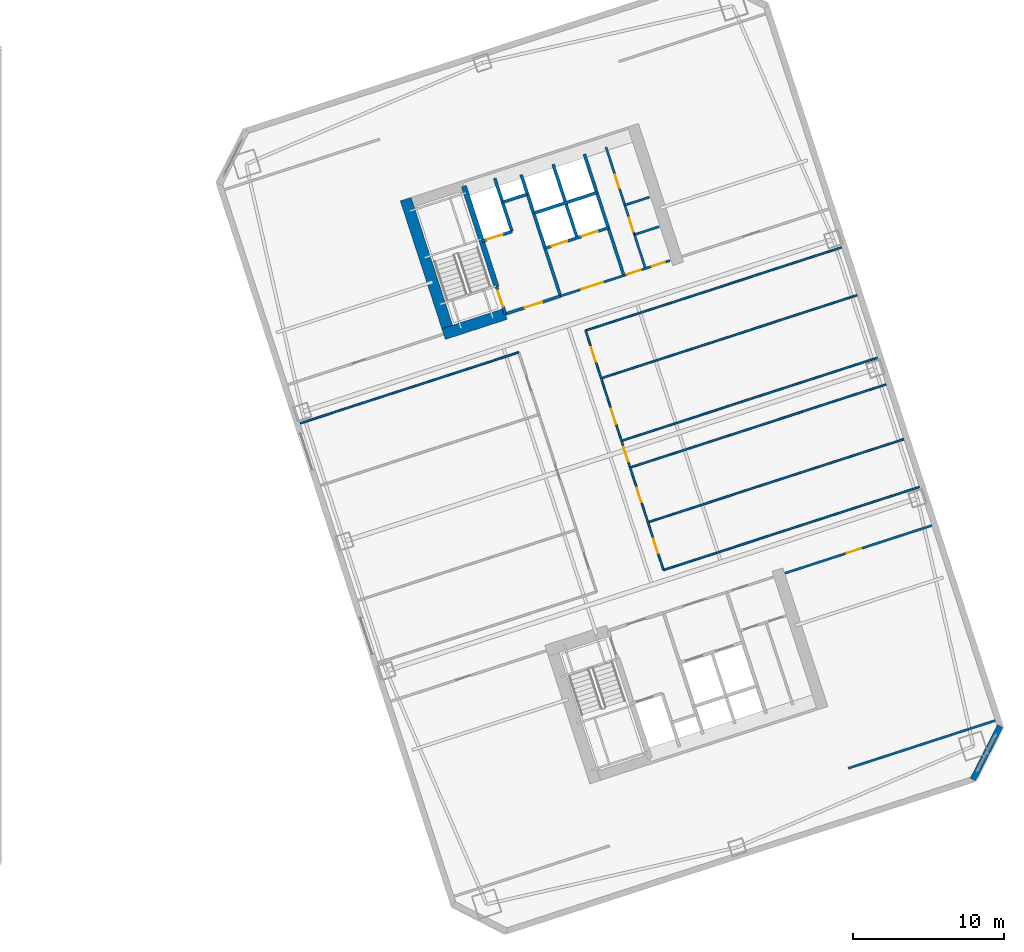
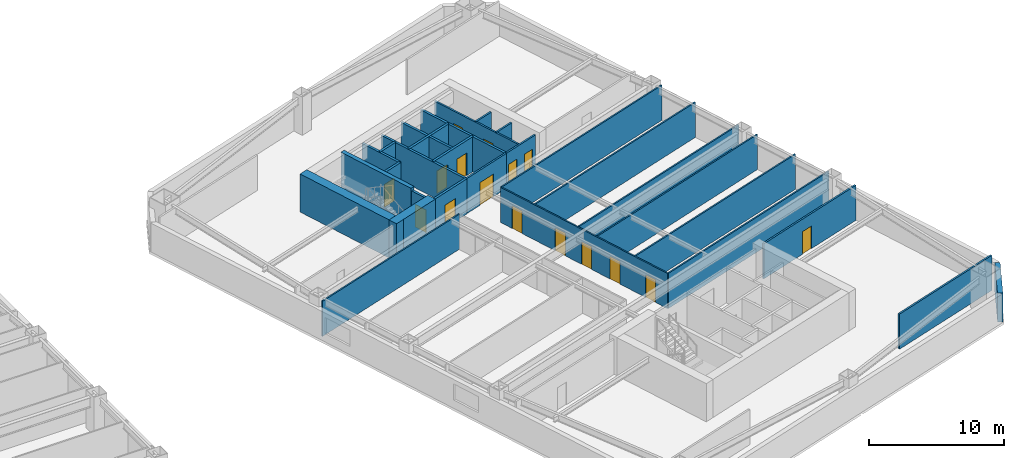
# One storey, part 15 of 19: 29 walls, 16 doors, 16 openings.
"""IFC4 building model written with IfcOpenShell, lengths in metres."""

from ifc_helpers import new_model, si_unit, direction, frame, frame_2d, origin, place, context, subcontext, project, spatial, rectangle, extrude, material, layer, layer_set, type_object, element, fill, save


model = new_model("IFC4")

# Units and contexts
model_context = context("Model", 3, precision=1e-05, world=origin(), true_north=direction((0.0, 1.0)))
body_context = subcontext(model_context, "Body", "Model", "MODEL_VIEW")
ifc_project = project(units=[si_unit("LENGTHUNIT", "METRE"), si_unit("AREAUNIT", "SQUARE_METRE"), si_unit("VOLUMEUNIT", "CUBIC_METRE"), si_unit("PLANEANGLEUNIT", "RADIAN"), si_unit("MASSUNIT", "GRAM", prefix="KILO")], contexts=[model_context])

# Site, building, storey
site_placement = place(None, origin())
site = spatial("IfcSite", under=ifc_project, at=site_placement, CompositionType="ELEMENT")
building_placement = place(site_placement, origin())
building = spatial("IfcBuilding", under=site, at=building_placement, Name="Qiaolan Cultural Towers", CompositionType="ELEMENT")
storey_placement = place(building_placement, frame((0.0, 0.0, 54.050048828125)))
storey = spatial("IfcBuildingStorey", under=building, at=storey_placement, Name="L12", CompositionType="ELEMENT", Elevation=54.050048828125)

# Walls
ifc_material_1 = material(Name="Concrete C50", Category="concrete")
ifc_layer_1 = layer(ifc_material_1, 0.35009765625)
ifc_layer_set_1 = layer_set([ifc_layer_1], Name="Concrete C50")
wall_type_1 = type_object("IfcWallType", Name="WL-CORE-350", PredefinedType="SHEAR", material=ifc_layer_set_1)
wall_1_placement = place(storey_placement, frame((82.513671875, 45.13134765625, 0.0), z_axis=(0.0, 0.0, 1.0), x_axis=(-0.308988790936, 0.951065679686, 0.0)))
element("IfcWall", 1, at=wall_1_placement, inside=storey, type_object=wall_type_1, Name="L12 T2-CN Stair Core Dividing Web", PredefinedType="SHEAR", context=body_context, shape_type="SweptSolid", body=[
    extrude(rectangle(XDim=6.97998046875, YDim=0.35009765625, at=frame_2d((3.489990234375, 0.0))), origin(), (0.0, 0.0, 1.0), 3.449951171875),
])
ifc_material_2 = material(Name="Concrete C60", Category="concrete")
ifc_layer_2 = layer(ifc_material_2, 0.75)
ifc_layer_set_2 = layer_set([ifc_layer_2], Name="Concrete C60")
wall_type_2 = type_object("IfcWallType", Name="WL-CORE-750", PredefinedType="SHEAR", material=ifc_layer_set_2)
wall_2_placement = place(storey_placement, frame((79.48876953125, 41.75634765625, 0.0), z_axis=(0.0, 0.0, 1.0), x_axis=(-0.309016134813, 0.951056795583, 0.0)))
element("IfcWall", 2, at=wall_2_placement, inside=storey, type_object=wall_type_2, Name="L12 T2-CN West Core Shear Wall", PredefinedType="SHEAR", context=body_context, shape_type="SweptSolid", body=[
    extrude(rectangle(XDim=9.630126953125, YDim=0.75, at=frame_2d((4.81494140625, 0.0))), origin(), (0.0, 0.0, 1.0), 3.449951171875),
])
wall_3_placement = place(storey_placement, frame((79.01611328125, 41.997314453125, 0.0), z_axis=(0.0, 0.0, 1.0), x_axis=(0.95106038264, 0.309005094736, 0.0)))
element("IfcWall", 3, at=wall_3_placement, inside=storey, type_object=wall_type_2, Name="L12 T2-CN Stair Front Shear Wall", PredefinedType="SHEAR", context=body_context, shape_type="SweptSolid", body=[
    extrude(rectangle(XDim=4.294921875, YDim=0.75, at=frame_2d((2.1474609375, 0.0))), origin(), (0.0, 0.0, 1.0), 3.449951171875),
])
ifc_material_3 = material(Name="Precast Concrete C50 Honed Stone Pier", Category="masonry")
ifc_layer_3 = layer(ifc_material_3, 0.39990234375)
ifc_layer_set_3 = layer_set([ifc_layer_3], Name="Precast Concrete C50 Honed Stone Pier")
wall_type_3 = type_object("IfcWallType", Name="WL-EXT-PIER-400", PredefinedType="SOLIDWALL", material=ifc_layer_set_3)
wall_4_placement = place(storey_placement, frame((115.79541015625, 16.094970703125, 0.0), z_axis=(0.0, 0.0, 1.0), x_axis=(-0.453958106755, -0.891023028497, 0.0)))
element("IfcWall", 4, at=wall_4_placement, inside=storey, type_object=wall_type_3, Name="L12 East Tower Precast Pier Facade Wall F6", PredefinedType="SOLIDWALL", context=body_context, shape_type="SweptSolid", body=[
    extrude(rectangle(XDim=3.9599609375, YDim=0.39990234375, at=frame_2d((1.97998046875, 0.0))), origin(), (0.0, 0.0, 1.0), 2.60986328125),
])

# Wall, opening, door
ifc_material_4 = material(Name="Concrete C35 Fire Wall", Category="concrete")
ifc_layer_4 = layer(ifc_material_4, 0.199951171875)
ifc_layer_set_4 = layer_set([ifc_layer_4], Name="Concrete C35 Fire Wall")
wall_type_4 = type_object("IfcWallType", Name="WL-FIRE-200", PredefinedType="PARTITIONING", material=ifc_layer_set_4)
wall_5_placement = place(storey_placement, frame((83.100830078125, 43.324462890625, 0.0), z_axis=(0.0, 0.0, 1.0), x_axis=(-0.309048298632, 0.951046344356, 0.0)))
wall_5 = element("IfcWall", 5, at=wall_5_placement, inside=storey, type_object=wall_type_4, Name="L12 T2-CN Smokeproof Stair Entry Wall", PredefinedType="PARTITIONING", context=body_context, shape_type="SweptSolid", body=[
    extrude(rectangle(XDim=1.89990234375, YDim=0.199951171875, at=frame_2d((0.949951171875, 0.0))), origin(), (0.0, 0.0, 1.0), 3.175048828125),
])
opening_1_placement = place(wall_5_placement, frame((0.52001953125, 0.0, 0.0)))
opening_1 = element("IfcOpeningElement", 6, at=opening_1_placement, cuts=wall_5, Name="Opening FD-04", PredefinedType="OPENING", context=body_context, shape_type="SweptSolid", body=[
    extrude(rectangle(XDim=1.10009765625, YDim=2.050048828125, at=frame_2d((0.550048828125, 1.02490234375))), frame((0.0, 0.10986328125, 0.0), z_axis=(0.0, -1.0, 0.0), x_axis=(1.0, 0.0, 0.0)), (0.0, 0.0, 1.0), 0.219970703125),
])
ifc_material_5 = material(Name="Galvanized Steel Command Fire Door", Category="steel")
door_type_1 = type_object("IfcDoorType", Name="DR-FD90-1100", OperationType="NOTDEFINED", PredefinedType="DOOR", material=ifc_material_5)
door_1_placement = place(opening_1_placement, origin())
door_1 = element("IfcDoor", 7, at=door_1_placement, inside=storey, type_object=door_type_1, Name="L12 ST-E2 Smokeproof Stair Fire Door", OperationType="SINGLE_SWING_LEFT", OverallHeight=2.050048828125, OverallWidth=1.10009765625, PredefinedType="DOOR", context=body_context, shape_type="SweptSolid", body=[
    extrude(rectangle(XDim=1.10009765625, YDim=2.050048828125, at=frame_2d((0.550048828125, 1.02490234375))), frame((0.0, 0.02490234375, 0.0), z_axis=(0.0, -1.0, 0.0), x_axis=(1.0, 0.0, 0.0)), (0.0, 0.0, 1.0), 0.050048828125),
])
fill(opening_1, door_1)

# Wall
wall_6_placement = place(storey_placement, frame((86.743408203125, 44.508056640625, 0.0), z_axis=(0.0, 0.0, 1.0), x_axis=(-0.309016001439, 0.951056838919, 0.0)))
element("IfcWall", 8, at=wall_6_placement, inside=storey, type_object=wall_type_4, Name="L12 T2-CN Firefighting Zone Wall", PredefinedType="PARTITIONING", context=body_context, shape_type="SweptSolid", body=[
    extrude(rectangle(XDim=8.429931640625, YDim=0.199951171875, at=frame_2d((4.21484375, 0.0))), origin(), (0.0, 0.0, 1.0), 3.175048828125),
])

# Wall, opening, door
wall_7_placement = place(storey_placement, frame((83.100830078125, 43.324462890625, 0.0), z_axis=(0.0, 0.0, 1.0), x_axis=(0.951052804469, 0.309028417967, 0.0)))
wall_7 = element("IfcWall", 9, at=wall_7_placement, inside=storey, type_object=wall_type_4, Name="L12 T2-CN Firefighting Lobby Front Wall", PredefinedType="PARTITIONING", context=body_context, shape_type="SweptSolid", body=[
    extrude(rectangle(XDim=3.830078125, YDim=0.199951171875, at=frame_2d((1.9150390625, 0.0))), origin(), (0.0, 0.0, 1.0), 3.175048828125),
])
opening_2_placement = place(wall_7_placement, frame((1.35009765625, 0.0, 0.0)))
opening_2 = element("IfcOpeningElement", 10, at=opening_2_placement, cuts=wall_7, Name="Opening FD-03", PredefinedType="OPENING", context=body_context, shape_type="SweptSolid", body=[
    extrude(rectangle(XDim=1.199951171875, YDim=2.050048828125, at=frame_2d((0.60009765625, 1.02490234375))), frame((0.0, 0.10986328125, 0.0), z_axis=(0.0, -1.0, 0.0), x_axis=(1.0, 0.0, 0.0)), (0.0, 0.0, 1.0), 0.219970703125),
])
ifc_material_6 = material(Name="Galvanized Steel Smokeproof Lobby Fire Door", Category="steel")
door_type_2 = type_object("IfcDoorType", Name="DR-FD90-1200", OperationType="NOTDEFINED", PredefinedType="DOOR", material=ifc_material_6)
door_2_placement = place(opening_2_placement, origin())
door_2 = element("IfcDoor", 11, at=door_2_placement, inside=storey, type_object=door_type_2, Name="L12 FFL-E2 Firefighting Lobby Fire Door", OperationType="SINGLE_SWING_LEFT", OverallHeight=2.050048828125, OverallWidth=1.199951171875, PredefinedType="DOOR", context=body_context, shape_type="SweptSolid", body=[
    extrude(rectangle(XDim=1.199951171875, YDim=2.050048828125, at=frame_2d((0.60009765625, 1.02490234375))), frame((0.0, 0.02490234375, 0.0), z_axis=(0.0, -1.0, 0.0), x_axis=(1.0, 0.0, 0.0)), (0.0, 0.0, 1.0), 0.050048828125),
])
fill(opening_2, door_2)

wall_8_placement = place(storey_placement, frame((81.540283203125, 48.127197265625, 0.0), z_axis=(0.0, 0.0, 1.0), x_axis=(0.951062257173, 0.308999325213, 0.0)))
wall_8 = element("IfcWall", 12, at=wall_8_placement, inside=storey, type_object=wall_type_4, Name="L12 T2-CN Firefighting Shaft Front Wall", PredefinedType="PARTITIONING", context=body_context, shape_type="SweptSolid", body=[
    extrude(rectangle(XDim=2.10009765625, YDim=0.199951171875, at=frame_2d((1.050048828125, 0.0))), origin(), (0.0, 0.0, 1.0), 3.175048828125),
])
opening_3_placement = place(wall_8_placement, frame((0.35009765625, 0.0, 0.0)))
opening_3 = element("IfcOpeningElement", 13, at=opening_3_placement, cuts=wall_8, Name="Opening LD-01", PredefinedType="OPENING", context=body_context, shape_type="SweptSolid", body=[
    extrude(rectangle(XDim=1.10009765625, YDim=2.050048828125, at=frame_2d((0.550048828125, 1.02490234375))), frame((0.0, 0.10986328125, 0.0), z_axis=(0.0, -1.0, 0.0), x_axis=(1.0, 0.0, 0.0)), (0.0, 0.0, 1.0), 0.219970703125),
])
ifc_material_7 = material(Name="Brushed Stainless Steel S30408 Centre-Parting Lift Landing Door", Category="steel")
door_type_3 = type_object("IfcDoorType", Name="DR-LIFT-1100", OperationType="NOTDEFINED", PredefinedType="DOOR", material=ifc_material_7)
door_3_placement = place(opening_3_placement, origin())
door_3 = element("IfcDoor", 14, at=door_3_placement, inside=storey, type_object=door_type_3, Name="L12 FFL-E2 Firefighting Lift Landing Door", OperationType="DOUBLE_DOOR_SLIDING", OverallHeight=2.050048828125, OverallWidth=1.10009765625, PredefinedType="DOOR", context=body_context, shape_type="SweptSolid", body=[
    extrude(rectangle(XDim=1.10009765625, YDim=2.050048828125, at=frame_2d((0.550048828125, 1.02490234375))), frame((0.0, 0.02490234375, 0.0), z_axis=(0.0, -1.0, 0.0), x_axis=(1.0, 0.0, 0.0)), (0.0, 0.0, 1.0), 0.050048828125),
])
fill(opening_3, door_3)

# Walls
wall_9_placement = place(storey_placement, frame((83.53759765625, 48.776123046875, 0.0), z_axis=(0.0, 0.0, 1.0), x_axis=(-0.3089935693, 0.951064127245, 0.0)))
element("IfcWall", 15, at=wall_9_placement, inside=storey, type_object=wall_type_4, Name="L12 T2-CN Firefighting Hoistway East Wall", PredefinedType="PARTITIONING", context=body_context, shape_type="SweptSolid", body=[
    extrude(rectangle(XDim=3.7001953125, YDim=0.199951171875, at=frame_2d((1.85009765625, 0.0))), origin(), (0.0, 0.0, 1.0), 3.175048828125),
])
wall_10_placement = place(storey_placement, frame((82.910400390625, 50.706787109375, 0.0), z_axis=(0.0, 0.0, 1.0), x_axis=(0.951041328149, 0.309063734775, 0.0)))
element("IfcWall", 16, at=wall_10_placement, inside=storey, type_object=wall_type_4, Name="L12 T2-CN Pressurization Shaft Front Wall", PredefinedType="PARTITIONING", context=body_context, shape_type="SweptSolid", body=[
    extrude(rectangle(XDim=1.72998046875, YDim=0.199951171875, at=frame_2d((0.864990234375, 0.0))), origin(), (0.0, 0.0, 1.0), 3.175048828125),
])
wall_11_placement = place(storey_placement, frame((90.92822265625, 45.86767578125, 0.0), z_axis=(0.0, 0.0, 1.0), x_axis=(-0.309042196757, 0.951048327176, 0.0)))
element("IfcWall", 17, at=wall_11_placement, inside=storey, type_object=wall_type_4, Name="L12 T2-CN Lift Core East Wall", PredefinedType="PARTITIONING", context=body_context, shape_type="SweptSolid", body=[
    extrude(rectangle(XDim=8.429931640625, YDim=0.199951171875, at=frame_2d((4.21484375, 0.0))), origin(), (0.0, 0.0, 1.0), 3.175048828125),
])

# Wall, openings, doors
wall_12_placement = place(storey_placement, frame((85.717529296875, 47.66552734375, 0.0), z_axis=(0.0, 0.0, 1.0), x_axis=(0.951058531764, 0.30901079133, 0.0)))
wall_12 = element("IfcWall", 18, at=wall_12_placement, inside=storey, type_object=wall_type_4, Name="L12 T2-CN Passenger Lift Shaft Front Wall", PredefinedType="PARTITIONING", context=body_context, shape_type="SweptSolid", body=[
    extrude(rectangle(XDim=4.39990234375, YDim=0.199951171875, at=frame_2d((2.199951171875, 0.0))), origin(), (0.0, 0.0, 1.0), 3.175048828125),
])
opening_4_placement = place(wall_12_placement, frame((0.449951171875, 0.0, 0.0)))
opening_4 = element("IfcOpeningElement", 19, at=opening_4_placement, cuts=wall_12, Name="Opening LD-01", PredefinedType="OPENING", context=body_context, shape_type="SweptSolid", body=[
    extrude(rectangle(XDim=1.10009765625, YDim=2.050048828125, at=frame_2d((0.550048828125, 1.02490234375))), frame((0.0, 0.10986328125, 0.0), z_axis=(0.0, -1.0, 0.0), x_axis=(1.0, 0.0, 0.0)), (0.0, 0.0, 1.0), 0.219970703125),
])
opening_5_placement = place(wall_12_placement, frame((2.550048828125, 0.0, 0.0)))
opening_5 = element("IfcOpeningElement", 20, at=opening_5_placement, cuts=wall_12, Name="Opening LD-01", PredefinedType="OPENING", context=body_context, shape_type="SweptSolid", body=[
    extrude(rectangle(XDim=1.10009765625, YDim=2.050048828125, at=frame_2d((0.550048828125, 1.02490234375))), frame((0.0, 0.10986328125, 0.0), z_axis=(0.0, -1.0, 0.0), x_axis=(1.0, 0.0, 0.0)), (0.0, 0.0, 1.0), 0.219970703125),
])
door_4_placement = place(opening_4_placement, origin())
door_4 = element("IfcDoor", 21, at=door_4_placement, inside=storey, type_object=door_type_3, Name="L12 Passenger Lift 1 Landing Door", OperationType="DOUBLE_DOOR_SLIDING", OverallHeight=2.050048828125, OverallWidth=1.10009765625, PredefinedType="DOOR", context=body_context, shape_type="SweptSolid", body=[
    extrude(rectangle(XDim=1.10009765625, YDim=2.050048828125, at=frame_2d((0.550048828125, 1.02490234375))), frame((0.0, 0.02490234375, 0.0), z_axis=(0.0, -1.0, 0.0), x_axis=(1.0, 0.0, 0.0)), (0.0, 0.0, 1.0), 0.050048828125),
])
fill(opening_4, door_4)
door_5_placement = place(opening_5_placement, origin())
door_5 = element("IfcDoor", 22, at=door_5_placement, inside=storey, type_object=door_type_3, Name="L12 Passenger Lift 2 Landing Door", OperationType="DOUBLE_DOOR_SLIDING", OverallHeight=2.050048828125, OverallWidth=1.10009765625, PredefinedType="DOOR", context=body_context, shape_type="SweptSolid", body=[
    extrude(rectangle(XDim=1.10009765625, YDim=2.050048828125, at=frame_2d((0.550048828125, 1.02490234375))), frame((0.0, 0.02490234375, 0.0), z_axis=(0.0, -1.0, 0.0), x_axis=(1.0, 0.0, 0.0)), (0.0, 0.0, 1.0), 0.050048828125),
])
fill(opening_5, door_5)

# Walls
wall_13_placement = place(storey_placement, frame((87.83837890625, 48.3544921875, 0.0), z_axis=(0.0, 0.0, 1.0), x_axis=(-0.3090093719, 0.951058992953, 0.0)))
element("IfcWall", 23, at=wall_13_placement, inside=storey, type_object=wall_type_4, Name="L12 T2-CN Lift Shaft Divider Wall", PredefinedType="PARTITIONING", context=body_context, shape_type="SweptSolid", body=[
    extrude(rectangle(XDim=5.110107421875, YDim=0.199951171875, at=frame_2d((2.55517578125, 0.0))), origin(), (0.0, 0.0, 1.0), 3.175048828125),
])
wall_14_placement = place(storey_placement, frame((84.966552734375, 49.9765625, 0.0), z_axis=(0.0, 0.0, 1.0), x_axis=(0.951063829732, 0.308994485023, 0.0)))
element("IfcWall", 24, at=wall_14_placement, inside=storey, type_object=wall_type_4, Name="L12 T2-CN Passenger Lift Shaft Back Wall", PredefinedType="PARTITIONING", context=body_context, shape_type="SweptSolid", body=[
    extrude(rectangle(XDim=4.400146484375, YDim=0.199951171875, at=frame_2d((2.2001953125, 0.0))), origin(), (0.0, 0.0, 1.0), 3.175048828125),
])
ifc_material_8 = material(Name="Gypsum Stud Acoustic Partition", Category="gypsum")
ifc_layer_5 = layer(ifc_material_8, 0.1201171875)
ifc_layer_set_5 = layer_set([ifc_layer_5], Name="Gypsum Stud Acoustic Partition")
wall_type_5 = type_object("IfcWallType", Name="WL-PART-120", PredefinedType="PARTITIONING", material=ifc_layer_set_5)
wall_15_placement = place(storey_placement, frame((93.5458984375, 26.404052734375, 0.0), z_axis=(0.0, 0.0, 1.0), x_axis=(0.951058189574, 0.309011844505, 0.0)))
element("IfcWall", 25, at=wall_15_placement, inside=storey, type_object=wall_type_5, Name="L12 T2 South Corridor Right Wall", PredefinedType="PARTITIONING", context=body_context, shape_type="SweptSolid", body=[
    extrude(rectangle(XDim=17.77490234375, YDim=0.1201171875, at=frame_2d((8.887451171875, 0.0))), origin(), (0.0, 0.0, 1.0), 3.175048828125),
])
wall_16_placement = place(storey_placement, frame((69.549072265625, 36.103271484375, 0.0), z_axis=(0.0, 0.0, 1.0), x_axis=(0.951054756643, 0.309022409974, 0.0)))
element("IfcWall", 26, at=wall_16_placement, inside=storey, type_object=wall_type_5, Name="L12 T2 North Corridor Left Wall", PredefinedType="PARTITIONING", context=body_context, shape_type="SweptSolid", body=[
    extrude(rectangle(XDim=15.175048828125, YDim=0.1201171875, at=frame_2d((7.58740234375, 0.0))), origin(), (0.0, 0.0, 1.0), 3.175048828125),
])
wall_17_placement = place(storey_placement, frame((88.40380859375, 42.2294921875, 0.0), z_axis=(0.0, 0.0, 1.0), x_axis=(0.951054152931, 0.309024267966, 0.0)))
element("IfcWall", 27, at=wall_17_placement, inside=storey, type_object=wall_type_5, Name="L12 T2 North Corridor Right Wall", PredefinedType="PARTITIONING", context=body_context, shape_type="SweptSolid", body=[
    extrude(rectangle(XDim=17.775146484375, YDim=0.1201171875, at=frame_2d((8.8876953125, 0.0))), origin(), (0.0, 0.0, 1.0), 3.175048828125),
])

# Wall, openings, doors
wall_18_placement = place(storey_placement, frame((93.5458984375, 26.404052734375, 0.0), z_axis=(0.0, 0.0, 1.0), x_axis=(-0.309022042254, 0.951054876125, 0.0)))
wall_18 = element("IfcWall", 28, at=wall_18_placement, inside=storey, type_object=wall_type_5, Name="L12 T2 East Spine Wall", PredefinedType="PARTITIONING", context=body_context, shape_type="SweptSolid", body=[
    extrude(rectangle(XDim=16.639892578125, YDim=0.1201171875, at=frame_2d((8.31982421875, 0.0))), origin(), (0.0, 0.0, 1.0), 3.175048828125),
])
opening_6_placement = place(wall_18_placement, frame((1.159912109375, 0.0, 0.0)))
opening_6 = element("IfcOpeningElement", 29, at=opening_6_placement, cuts=wall_18, Name="Opening ID-04", PredefinedType="OPENING", context=body_context, shape_type="SweptSolid", body=[
    extrude(rectangle(XDim=1.0, YDim=2.050048828125, at=frame_2d((0.5, 1.02490234375))), frame((0.0, 0.070068359375, 0.0), z_axis=(0.0, -1.0, 0.0), x_axis=(1.0, 0.0, 0.0)), (0.0, 0.0, 1.0), 0.14013671875),
])
opening_7_placement = place(wall_18_placement, frame((4.719970703125, 0.0, 0.0)))
opening_7 = element("IfcOpeningElement", 30, at=opening_7_placement, cuts=wall_18, Name="Opening ID-04", PredefinedType="OPENING", context=body_context, shape_type="SweptSolid", body=[
    extrude(rectangle(XDim=1.0, YDim=2.050048828125, at=frame_2d((0.5, 1.02490234375))), frame((0.0, 0.070068359375, 0.0), z_axis=(0.0, -1.0, 0.0), x_axis=(1.0, 0.0, 0.0)), (0.0, 0.0, 1.0), 0.14013671875),
])
opening_8_placement = place(wall_18_placement, frame((7.548583984375, 0.0, 0.0)))
opening_8 = element("IfcOpeningElement", 31, at=opening_8_placement, cuts=wall_18, Name="Opening ID-04", PredefinedType="OPENING", context=body_context, shape_type="SweptSolid", body=[
    extrude(rectangle(XDim=1.0, YDim=2.050048828125, at=frame_2d((0.5, 1.02490234375))), frame((0.0, 0.070068359375, 0.0), z_axis=(0.0, -1.0, 0.0), x_axis=(1.0, 0.0, 0.0)), (0.0, 0.0, 1.0), 0.14013671875),
])
opening_9_placement = place(wall_18_placement, frame((10.1484375, 0.0, 0.0)))
opening_9 = element("IfcOpeningElement", 32, at=opening_9_placement, cuts=wall_18, Name="Opening ID-07", PredefinedType="OPENING", context=body_context, shape_type="SweptSolid", body=[
    extrude(rectangle(XDim=1.050048828125, YDim=2.050048828125, at=frame_2d((0.52490234375, 1.02490234375))), frame((0.0, 0.070068359375, 0.0), z_axis=(0.0, -1.0, 0.0), x_axis=(1.0, 0.0, 0.0)), (0.0, 0.0, 1.0), 0.14013671875),
])
opening_10_placement = place(wall_18_placement, frame((14.47998046875, 0.0, 0.0)))
opening_10 = element("IfcOpeningElement", 33, at=opening_10_placement, cuts=wall_18, Name="Opening ID-04", PredefinedType="OPENING", context=body_context, shape_type="SweptSolid", body=[
    extrude(rectangle(XDim=1.0, YDim=2.050048828125, at=frame_2d((0.5, 1.02490234375))), frame((0.0, 0.070068359375, 0.0), z_axis=(0.0, -1.0, 0.0), x_axis=(1.0, 0.0, 0.0)), (0.0, 0.0, 1.0), 0.14013671875),
])
ifc_material_9 = material(Name="Oak Veneer Acoustic Office Door", Category="timber")
door_type_4 = type_object("IfcDoorType", Name="DR-INT-1000", OperationType="NOTDEFINED", PredefinedType="DOOR", material=ifc_material_9)
door_6_placement = place(opening_6_placement, origin())
door_6 = element("IfcDoor", 34, at=door_6_placement, inside=storey, type_object=door_type_4, Name="L12 T2 Architecture Studio Door", OperationType="SINGLE_SWING_RIGHT", OverallHeight=2.050048828125, OverallWidth=1.0, PredefinedType="DOOR", context=body_context, shape_type="SweptSolid", body=[
    extrude(rectangle(XDim=1.0, YDim=2.050048828125, at=frame_2d((0.5, 1.02490234375))), frame((0.0, 0.02490234375, 0.0), z_axis=(0.0, -1.0, 0.0), x_axis=(1.0, 0.0, 0.0)), (0.0, 0.0, 1.0), 0.050048828125),
])
fill(opening_6, door_6)
door_7_placement = place(opening_7_placement, origin())
door_7 = element("IfcDoor", 35, at=door_7_placement, inside=storey, type_object=door_type_4, Name="L12 T2 Architecture Studio Door", OperationType="SINGLE_SWING_LEFT", OverallHeight=2.050048828125, OverallWidth=1.0, PredefinedType="DOOR", context=body_context, shape_type="SweptSolid", body=[
    extrude(rectangle(XDim=1.0, YDim=2.050048828125, at=frame_2d((0.5, 1.02490234375))), frame((0.0, 0.02490234375, 0.0), z_axis=(0.0, -1.0, 0.0), x_axis=(1.0, 0.0, 0.0)), (0.0, 0.0, 1.0), 0.050048828125),
])
fill(opening_7, door_7)
door_8_placement = place(opening_8_placement, origin())
door_8 = element("IfcDoor", 36, at=door_8_placement, inside=storey, type_object=door_type_4, Name="L12 T2 Architecture Studio Door", OperationType="SINGLE_SWING_RIGHT", OverallHeight=2.050048828125, OverallWidth=1.0, PredefinedType="DOOR", context=body_context, shape_type="SweptSolid", body=[
    extrude(rectangle(XDim=1.0, YDim=2.050048828125, at=frame_2d((0.5, 1.02490234375))), frame((0.0, 0.02490234375, 0.0), z_axis=(0.0, -1.0, 0.0), x_axis=(1.0, 0.0, 0.0)), (0.0, 0.0, 1.0), 0.050048828125),
])
fill(opening_8, door_8)
door_9_placement = place(opening_10_placement, origin())
door_9 = element("IfcDoor", 37, at=door_9_placement, inside=storey, type_object=door_type_4, Name="L12 T2 Espresso Pantry Door", OperationType="SINGLE_SWING_LEFT", OverallHeight=2.050048828125, OverallWidth=1.0, PredefinedType="DOOR", context=body_context, shape_type="SweptSolid", body=[
    extrude(rectangle(XDim=1.0, YDim=2.050048828125, at=frame_2d((0.5, 1.02490234375))), frame((0.0, 0.02490234375, 0.0), z_axis=(0.0, -1.0, 0.0), x_axis=(1.0, 0.0, 0.0)), (0.0, 0.0, 1.0), 0.050048828125),
])
fill(opening_10, door_9)
ifc_material_10 = material(Name="Oak Veneer Consultation Door", Category="timber")
door_type_5 = type_object("IfcDoorType", Name="DR-INT-1050", OperationType="NOTDEFINED", PredefinedType="DOOR", material=ifc_material_10)
door_10_placement = place(opening_9_placement, origin())
door_10 = element("IfcDoor", 38, at=door_10_placement, inside=storey, type_object=door_type_5, Name="L12 T2 Architecture Studio Door", OperationType="SINGLE_SWING_LEFT", OverallHeight=2.050048828125, OverallWidth=1.050048828125, PredefinedType="DOOR", context=body_context, shape_type="SweptSolid", body=[
    extrude(rectangle(XDim=1.050048828125, YDim=2.050048828125, at=frame_2d((0.52490234375, 1.02490234375))), frame((0.0, 0.02490234375, 0.0), z_axis=(0.0, -1.0, 0.0), x_axis=(1.0, 0.0, 0.0)), (0.0, 0.0, 1.0), 0.050048828125),
])
fill(opening_9, door_10)

# Walls
for number, where, z_axis, x_axis, name in (
    (39, (92.52001953125, 29.5615234375, 0.0), (0.0, 0.0, 1.0), (0.951058189574, 0.309011844505, 0.0), "L12 T2 East Partition 1"),
    (40, (91.345703125, 33.175537109375, 0.0), (0.0, 0.0, 1.0), (0.951058189574, 0.309011844505, 0.0), "L12 T2 East Partition 2"),
    (41, (90.771728515625, 34.941650390625, 0.0), (0.0, 0.0, 1.0), (0.951058189574, 0.309011844505, 0.0), "L12 T2 East Partition 3"),
    (42, (89.4296875, 39.072021484375, 0.0), (0.0, 0.0, 1.0), (0.951058189574, 0.309011844505, 0.0), "L12 T2 East Partition 5"),
):
    element("IfcWall", number, at=place(storey_placement, frame(where, z_axis=z_axis, x_axis=x_axis)), inside=storey, type_object=wall_type_5, Name=name, PredefinedType="PARTITIONING", context=body_context, shape_type="SweptSolid", body=[
        extrude(rectangle(XDim=17.77490234375, YDim=0.1201171875, at=frame_2d((8.887451171875, 0.0))), origin(), (0.0, 0.0, 1.0), 3.175048828125),
    ])

# Wall, opening, door
ifc_material_11 = material(Name="Autoclaved Aerated Concrete Block B06", Category="concrete")
ifc_layer_6 = layer(ifc_material_11, 0.14990234375)
ifc_layer_set_6 = layer_set([ifc_layer_6], Name="Autoclaved Aerated Concrete Block B06")
wall_type_6 = type_object("IfcWallType", Name="WL-PART-150", PredefinedType="PARTITIONING", material=ifc_layer_set_6)
wall_19_placement = place(storey_placement, frame((86.743408203125, 44.508056640625, 0.0), z_axis=(0.0, 0.0, 1.0), x_axis=(0.951063829732, 0.308994485023, 0.0)))
wall_19 = element("IfcWall", 43, at=wall_19_placement, inside=storey, type_object=wall_type_6, Name="L12 T2-CN Passenger Lift Lobby Front Wall", PredefinedType="PARTITIONING", context=body_context, shape_type="SweptSolid", body=[
    extrude(rectangle(XDim=4.400146484375, YDim=0.14990234375, at=frame_2d((2.2001953125, 0.0))), origin(), (0.0, 0.0, 1.0), 3.175048828125),
])
opening_11_placement = place(wall_19_placement, frame((1.449951171875, 0.0, 0.0)))
opening_11 = element("IfcOpeningElement", 44, at=opening_11_placement, cuts=wall_19, Name="Opening FD-05", PredefinedType="OPENING", context=body_context, shape_type="SweptSolid", body=[
    extrude(rectangle(XDim=1.5, YDim=2.050048828125, at=frame_2d((0.75, 1.02490234375))), frame((0.0, 0.0849609375, 0.0), z_axis=(0.0, -1.0, 0.0), x_axis=(1.0, 0.0, 0.0)), (0.0, 0.0, 1.0), 0.169921875),
])
ifc_material_12 = material(Name="Painted Steel Lift Lobby Fire Door", Category="steel")
door_type_6 = type_object("IfcDoorType", Name="DR-FD60-1500", OperationType="NOTDEFINED", PredefinedType="DOOR", material=ifc_material_12)
door_11_placement = place(opening_11_placement, origin())
door_11 = element("IfcDoor", 45, at=door_11_placement, inside=storey, type_object=door_type_6, Name="L12 Passenger Lift Lobby Entrance", OperationType="SINGLE_SWING_LEFT", OverallHeight=2.050048828125, OverallWidth=1.5, PredefinedType="DOOR", context=body_context, shape_type="SweptSolid", body=[
    extrude(rectangle(XDim=1.5, YDim=2.050048828125, at=frame_2d((0.75, 1.02490234375))), frame((0.0, 0.02490234375, 0.0), z_axis=(0.0, -1.0, 0.0), x_axis=(1.0, 0.0, 0.0)), (0.0, 0.0, 1.0), 0.050048828125),
])
fill(opening_11, door_11)

# Wall, openings, doors
wall_20_placement = place(storey_placement, frame((90.92822265625, 45.86767578125, 0.0), z_axis=(0.0, 0.0, 1.0), x_axis=(0.951059297078, 0.309008435874, 0.0)))
wall_20 = element("IfcWall", 46, at=wall_20_placement, inside=storey, type_object=wall_type_6, Name="L12 T2-CN Sanitary Core Front Wall", PredefinedType="PARTITIONING", context=body_context, shape_type="SweptSolid", body=[
    extrude(rectangle(XDim=3.19970703125, YDim=0.14990234375, at=frame_2d((1.599853515625, 0.0))), origin(), (0.0, 0.0, 1.0), 3.175048828125),
])
opening_12_placement = place(wall_20_placement, frame((0.219970703125, 0.0, 0.0)))
opening_12 = element("IfcOpeningElement", 47, at=opening_12_placement, cuts=wall_20, Name="Opening ID-05", PredefinedType="OPENING", context=body_context, shape_type="SweptSolid", body=[
    extrude(rectangle(XDim=0.949951171875, YDim=2.050048828125, at=frame_2d((0.47509765625, 1.02490234375))), frame((0.0, 0.0849609375, 0.0), z_axis=(0.0, -1.0, 0.0), x_axis=(1.0, 0.0, 0.0)), (0.0, 0.0, 1.0), 0.169921875),
])
opening_13_placement = place(wall_20_placement, frame((1.949951171875, 0.0, 0.0)))
opening_13 = element("IfcOpeningElement", 48, at=opening_13_placement, cuts=wall_20, Name="Opening ID-06", PredefinedType="OPENING", context=body_context, shape_type="SweptSolid", body=[
    extrude(rectangle(XDim=0.89990234375, YDim=2.050048828125, at=frame_2d((0.449951171875, 1.02490234375))), frame((0.0, 0.0849609375, 0.0), z_axis=(0.0, -1.0, 0.0), x_axis=(1.0, 0.0, 0.0)), (0.0, 0.0, 1.0), 0.169921875),
])
ifc_material_13 = material(Name="Fire-Rated Laminate Core Service Door", Category="timber")
door_type_7 = type_object("IfcDoorType", Name="DR-INT-900", OperationType="NOTDEFINED", PredefinedType="DOOR", material=ifc_material_13)
door_12_placement = place(opening_13_placement, origin())
door_12 = element("IfcDoor", 49, at=door_12_placement, inside=storey, type_object=door_type_7, Name="L12 Core Tea Pantry Door", OperationType="SINGLE_SWING_RIGHT", OverallHeight=2.050048828125, OverallWidth=0.89990234375, PredefinedType="DOOR", context=body_context, shape_type="SweptSolid", body=[
    extrude(rectangle(XDim=0.89990234375, YDim=2.050048828125, at=frame_2d((0.449951171875, 1.02490234375))), frame((0.0, 0.02490234375, 0.0), z_axis=(0.0, -1.0, 0.0), x_axis=(1.0, 0.0, 0.0)), (0.0, 0.0, 1.0), 0.050048828125),
])
fill(opening_13, door_12)
ifc_material_14 = material(Name="Fire-Rated Laminate Accessible Core Door", Category="timber")
door_type_8 = type_object("IfcDoorType", Name="DR-INT-950", OperationType="NOTDEFINED", PredefinedType="DOOR", material=ifc_material_14)
door_13_placement = place(opening_12_placement, origin())
door_13 = element("IfcDoor", 50, at=door_13_placement, inside=storey, type_object=door_type_8, Name="L12 Sanitary Passage Door", OperationType="SINGLE_SWING_LEFT", OverallHeight=2.050048828125, OverallWidth=0.949951171875, PredefinedType="DOOR", context=body_context, shape_type="SweptSolid", body=[
    extrude(rectangle(XDim=0.949951171875, YDim=2.050048828125, at=frame_2d((0.47509765625, 1.02490234375))), frame((0.0, 0.02490234375, 0.0), z_axis=(0.0, -1.0, 0.0), x_axis=(1.0, 0.0, 0.0)), (0.0, 0.0, 1.0), 0.050048828125),
])
fill(opening_12, door_13)

wall_21_placement = place(storey_placement, frame((92.354736328125, 46.3310546875, 0.0), z_axis=(0.0, 0.0, 1.0), x_axis=(-0.309007490203, 0.951059604335, 0.0)))
wall_21 = element("IfcWall", 51, at=wall_21_placement, inside=storey, type_object=wall_type_6, Name="L12 T2-CN Sanitary Corridor Wall", PredefinedType="PARTITIONING", context=body_context, shape_type="SweptSolid", body=[
    extrude(rectangle(XDim=8.43017578125, YDim=0.14990234375, at=frame_2d((4.215087890625, 0.0))), origin(), (0.0, 0.0, 1.0), 3.175048828125),
])
opening_14_placement = place(wall_21_placement, frame((2.550048828125, 0.0, 0.0)))
opening_14 = element("IfcOpeningElement", 52, at=opening_14_placement, cuts=wall_21, Name="Opening ID-05", PredefinedType="OPENING", context=body_context, shape_type="SweptSolid", body=[
    extrude(rectangle(XDim=0.949951171875, YDim=2.050048828125, at=frame_2d((0.47509765625, 1.02490234375))), frame((0.0, 0.0849609375, 0.0), z_axis=(0.0, -1.0, 0.0), x_axis=(1.0, 0.0, 0.0)), (0.0, 0.0, 1.0), 0.169921875),
])
opening_15_placement = place(wall_21_placement, frame((5.60009765625, 0.0, 0.0)))
opening_15 = element("IfcOpeningElement", 53, at=opening_15_placement, cuts=wall_21, Name="Opening ID-06", PredefinedType="OPENING", context=body_context, shape_type="SweptSolid", body=[
    extrude(rectangle(XDim=0.89990234375, YDim=2.050048828125, at=frame_2d((0.449951171875, 1.02490234375))), frame((0.0, 0.0849609375, 0.0), z_axis=(0.0, -1.0, 0.0), x_axis=(1.0, 0.0, 0.0)), (0.0, 0.0, 1.0), 0.169921875),
])
door_14_placement = place(opening_15_placement, origin())
door_14 = element("IfcDoor", 54, at=door_14_placement, inside=storey, type_object=door_type_7, Name="L12 Staff Restroom Door", OperationType="SINGLE_SWING_RIGHT", OverallHeight=2.050048828125, OverallWidth=0.89990234375, PredefinedType="DOOR", context=body_context, shape_type="SweptSolid", body=[
    extrude(rectangle(XDim=0.89990234375, YDim=2.050048828125, at=frame_2d((0.449951171875, 1.02490234375))), frame((0.0, 0.02490234375, 0.0), z_axis=(0.0, -1.0, 0.0), x_axis=(1.0, 0.0, 0.0)), (0.0, 0.0, 1.0), 0.050048828125),
])
fill(opening_15, door_14)
door_15_placement = place(opening_14_placement, origin())
door_15 = element("IfcDoor", 55, at=door_15_placement, inside=storey, type_object=door_type_8, Name="L12 Accessible Washroom Door", OperationType="SINGLE_SWING_LEFT", OverallHeight=2.050048828125, OverallWidth=0.949951171875, PredefinedType="DOOR", context=body_context, shape_type="SweptSolid", body=[
    extrude(rectangle(XDim=0.949951171875, YDim=2.050048828125, at=frame_2d((0.47509765625, 1.02490234375))), frame((0.0, 0.02490234375, 0.0), z_axis=(0.0, -1.0, 0.0), x_axis=(1.0, 0.0, 0.0)), (0.0, 0.0, 1.0), 0.050048828125),
])
fill(opening_14, door_15)

# Walls
wall_22_placement = place(storey_placement, frame((90.9951171875, 50.515869140625, 0.0), z_axis=(0.0, 0.0, 1.0), x_axis=(0.951040401051, 0.309066587596, 0.0)))
element("IfcWall", 56, at=wall_22_placement, inside=storey, type_object=wall_type_6, Name="L12 T2-CN Restroom Split Wall", PredefinedType="PARTITIONING", context=body_context, shape_type="SweptSolid", body=[
    extrude(rectangle(XDim=1.699951171875, YDim=0.14990234375, at=frame_2d((0.85009765625, 0.0))), origin(), (0.0, 0.0, 1.0), 3.175048828125),
])
wall_23_placement = place(storey_placement, frame((91.62841796875, 48.566162109375, 0.0), z_axis=(0.0, 0.0, 1.0), x_axis=(0.951054116971, 0.309024378638, 0.0)))
element("IfcWall", 57, at=wall_23_placement, inside=storey, type_object=wall_type_6, Name="L12 T2-CN Core Pantry Wall", PredefinedType="PARTITIONING", context=body_context, shape_type="SweptSolid", body=[
    extrude(rectangle(XDim=1.7001953125, YDim=0.14990234375, at=frame_2d((0.85009765625, 0.0))), origin(), (0.0, 0.0, 1.0), 3.175048828125),
])
wall_24_placement = place(storey_placement, frame((105.765380859375, 13.30908203125, 0.0), z_axis=(0.0, 0.0, 1.0), x_axis=(0.951054294345, 0.309023832749, 0.0)))
element("IfcWall", 58, at=wall_24_placement, inside=storey, type_object=wall_type_6, Name="L12 T2 Flank Wall FLK-SE", PredefinedType="PARTITIONING", context=body_context, shape_type="SweptSolid", body=[
    extrude(rectangle(XDim=10.2001953125, YDim=0.14990234375, at=frame_2d((5.10009765625, 0.0))), origin(), (0.0, 0.0, 1.0), 3.175048828125),
])

# Wall, opening, door
wall_25_placement = place(storey_placement, frame((101.578369140625, 26.196044921875, 0.0), z_axis=(0.0, 0.0, 1.0), x_axis=(0.951059043131, 0.309009217467, 0.0)))
wall_25 = element("IfcWall", 59, at=wall_25_placement, inside=storey, type_object=wall_type_6, Name="L12 T2 Flank Front FLK-SE", PredefinedType="PARTITIONING", context=body_context, shape_type="SweptSolid", body=[
    extrude(rectangle(XDim=10.199951171875, YDim=0.14990234375, at=frame_2d((5.10009765625, 0.0))), origin(), (0.0, 0.0, 1.0), 3.175048828125),
])
opening_16_placement = place(wall_25_placement, frame((4.283935546875, 0.0, 0.0)))
opening_16 = element("IfcOpeningElement", 60, at=opening_16_placement, cuts=wall_25, Name="Opening ID-04", PredefinedType="OPENING", context=body_context, shape_type="SweptSolid", body=[
    extrude(rectangle(XDim=1.0, YDim=2.050048828125, at=frame_2d((0.5, 1.02490234375))), frame((0.0, 0.0849609375, 0.0), z_axis=(0.0, -1.0, 0.0), x_axis=(1.0, 0.0, 0.0)), (0.0, 0.0, 1.0), 0.169921875),
])
door_16_placement = place(opening_16_placement, origin())
door_16 = element("IfcDoor", 61, at=door_16_placement, inside=storey, type_object=door_type_4, Name="L12 T2 Corner Studio Door", OperationType="SINGLE_SWING_LEFT", OverallHeight=2.050048828125, OverallWidth=1.0, PredefinedType="DOOR", context=body_context, shape_type="SweptSolid", body=[
    extrude(rectangle(XDim=1.0, YDim=2.050048828125, at=frame_2d((0.5, 1.02490234375))), frame((0.0, 0.02490234375, 0.0), z_axis=(0.0, -1.0, 0.0), x_axis=(1.0, 0.0, 0.0)), (0.0, 0.0, 1.0), 0.050048828125),
])
fill(opening_16, door_16)

save(model, "model.ifc")
